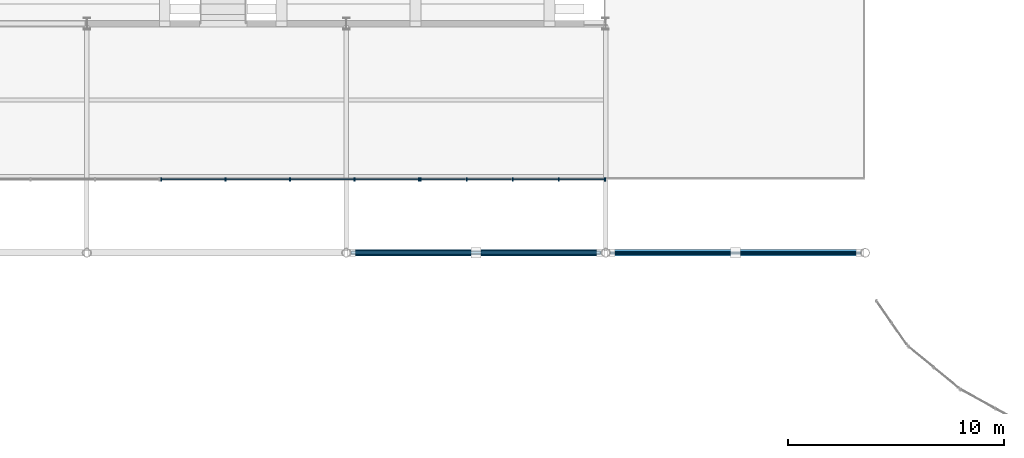
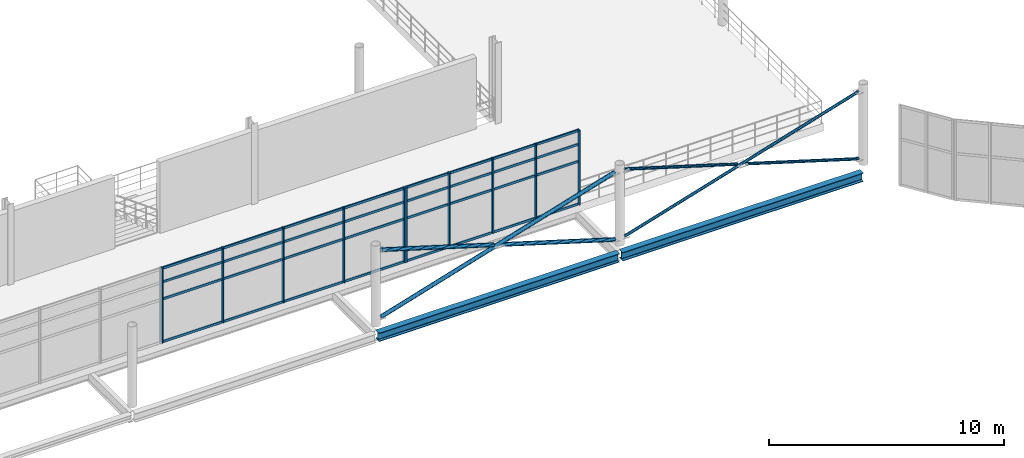
# One storey, part 31 of 89: 48 members, 2 beams, 2 elements without a shape of their own.
"""IFC4 building model written with IfcOpenShell, lengths in metres."""

from ifc_helpers import new_model, si_unit, direction, frame, origin, origin_2d, place, context, subcontext, project, spatial, rectangle, hollow_circle, i_section, extrude, material, material_profile, profile_set, type_object, element, aggregate, save


model = new_model("IFC4")

# Units and contexts
model_context = context("Model", 3, precision=1e-05, world=origin(), true_north=direction((0.0, 1.0)))
body_context = subcontext(model_context, "Body", "Model", "MODEL_VIEW")
ifc_project = project(units=[si_unit("LENGTHUNIT", "METRE"), si_unit("AREAUNIT", "SQUARE_METRE"), si_unit("VOLUMEUNIT", "CUBIC_METRE"), si_unit("PLANEANGLEUNIT", "RADIAN"), si_unit("MASSUNIT", "GRAM", prefix="KILO"), si_unit("THERMODYNAMICTEMPERATUREUNIT", "KELVIN"), si_unit("POWERUNIT", "WATT")], contexts=[model_context])

# Site, building, storey
site_placement = place(None, origin())
site = spatial("IfcSite", under=ifc_project, at=site_placement, CompositionType="ELEMENT")
building_placement = place(site_placement, origin())
building = spatial("IfcBuilding", under=site, at=building_placement, Name="Solmara Park Aquatics Centre", CompositionType="ELEMENT")
storey_placement = place(building_placement, frame((0.0, 0.0, 5.39990234375)))
storey = spatial("IfcBuildingStorey", under=building, at=storey_placement, Name="L01", CompositionType="ELEMENT", Elevation=5.39990234375)

# Curtain wall, members
ifc_material_1 = material(Name="Anodised Aluminium Curtain Wall Framing", Category="aluminium")
curtain_wall_type = type_object("IfcCurtainWallType", Name="ARC-CW-SYS05", PredefinedType="USERDEFINED", material=ifc_material_1)
curtain_wall_1_placement = place(storey_placement, origin())
curtain_wall_1 = element("IfcCurtainWall", 1, at=curtain_wall_1_placement, inside=storey, type_object=curtain_wall_type, Name="Curtain Wall CW-008", ObjectType="CURTAIN WALL", PredefinedType="USERDEFINED")
ifc_material_2 = material(Name="Anodised Aluminium Alloy 6063-T6", Category="aluminium")
ifc_material_profile_1 = material_profile(ifc_material_2, rectangle(XDim=0.06005859375, YDim=0.159912109375, at=origin_2d()), Name="ALU MULLION 60x160")
ifc_profile_set_1 = profile_set([ifc_material_profile_1], Name="Anodised Aluminium Alloy 6063-T6")
member_type_1 = type_object("IfcMemberType", Name="ARC-CWM-60x160", PredefinedType="MULLION", material=ifc_profile_set_1)
member_1_placement = place(storey_placement, frame((64.0400390625, 16.0, 0.0), z_axis=(0.0, 0.0, 1.0), x_axis=(1.0, 0.0, 0.0)))
member_1 = element("IfcMember", 2, at=member_1_placement, type_object=member_type_1, Name="CW-008 mullion 1", PredefinedType="MULLION", context=body_context, shape_type="SweptSolid", body=[
    extrude(rectangle(XDim=0.06005859375, YDim=0.159912109375, at=origin_2d()), origin(), (0.0, 0.0, 1.0), 3.900146484375),
])
member_2_placement = place(storey_placement, frame((67.02001953125, 16.0, 0.0), z_axis=(0.0, 0.0, 1.0), x_axis=(1.0, 0.0, 0.0)))
member_2 = element("IfcMember", 3, at=member_2_placement, type_object=member_type_1, Name="CW-008 mullion 2", PredefinedType="MULLION", context=body_context, shape_type="SweptSolid", body=[
    extrude(rectangle(XDim=0.06005859375, YDim=0.159912109375, at=origin_2d()), origin(), (0.0, 0.0, 1.0), 3.900146484375),
])
member_3_placement = place(storey_placement, frame((70.0, 16.0, 0.0), z_axis=(0.0, 0.0, 1.0), x_axis=(1.0, 0.0, 0.0)))
member_3 = element("IfcMember", 4, at=member_3_placement, type_object=member_type_1, Name="CW-008 mullion 3", PredefinedType="MULLION", context=body_context, shape_type="SweptSolid", body=[
    extrude(rectangle(XDim=0.06005859375, YDim=0.159912109375, at=origin_2d()), origin(), (0.0, 0.0, 1.0), 3.900146484375),
])
member_4_placement = place(storey_placement, frame((72.97998046875, 16.0, 0.0), z_axis=(0.0, 0.0, 1.0), x_axis=(1.0, 0.0, 0.0)))
member_4 = element("IfcMember", 5, at=member_4_placement, type_object=member_type_1, Name="CW-008 mullion 4", PredefinedType="MULLION", context=body_context, shape_type="SweptSolid", body=[
    extrude(rectangle(XDim=0.06005859375, YDim=0.159912109375, at=origin_2d()), origin(), (0.0, 0.0, 1.0), 3.900146484375),
])
member_5_placement = place(storey_placement, frame((75.9599609375, 16.0, 0.0), z_axis=(0.0, 0.0, 1.0), x_axis=(1.0, 0.0, 0.0)))
member_5 = element("IfcMember", 6, at=member_5_placement, type_object=member_type_1, Name="CW-008 mullion 5", PredefinedType="MULLION", context=body_context, shape_type="SweptSolid", body=[
    extrude(rectangle(XDim=0.06005859375, YDim=0.159912109375, at=origin_2d()), origin(), (0.0, 0.0, 1.0), 3.900146484375),
])

curtain_wall_2_placement = place(storey_placement, origin())
curtain_wall_2 = element("IfcCurtainWall", 7, at=curtain_wall_2_placement, inside=storey, type_object=curtain_wall_type, Name="Curtain Wall CW-010", ObjectType="CURTAIN WALL", PredefinedType="USERDEFINED")
member_6_placement = place(storey_placement, frame((76.0400390625, 16.0, 0.0), z_axis=(0.0, 0.0, 1.0), x_axis=(1.0, 0.0, 0.0)))
member_6 = element("IfcMember", 8, at=member_6_placement, type_object=member_type_1, Name="CW-010 mullion 1", PredefinedType="MULLION", context=body_context, shape_type="SweptSolid", body=[
    extrude(rectangle(XDim=0.06005859375, YDim=0.159912109375, at=origin_2d()), origin(), (0.0, 0.0, 1.0), 3.900146484375),
])
member_7_placement = place(storey_placement, frame((78.169921875, 16.0, 0.0), z_axis=(0.0, 0.0, 1.0), x_axis=(1.0, 0.0, 0.0)))
member_7 = element("IfcMember", 9, at=member_7_placement, type_object=member_type_1, Name="CW-010 mullion 2", PredefinedType="MULLION", context=body_context, shape_type="SweptSolid", body=[
    extrude(rectangle(XDim=0.06005859375, YDim=0.159912109375, at=origin_2d()), origin(), (0.0, 0.0, 1.0), 3.900146484375),
])
member_8_placement = place(storey_placement, frame((80.300048828125, 16.0, 0.0), z_axis=(0.0, 0.0, 1.0), x_axis=(1.0, 0.0, 0.0)))
member_8 = element("IfcMember", 10, at=member_8_placement, type_object=member_type_1, Name="CW-010 mullion 3", PredefinedType="MULLION", context=body_context, shape_type="SweptSolid", body=[
    extrude(rectangle(XDim=0.06005859375, YDim=0.159912109375, at=origin_2d()), origin(), (0.0, 0.0, 1.0), 3.900146484375),
])
member_9_placement = place(storey_placement, frame((82.429931640625, 16.0, 0.0), z_axis=(0.0, 0.0, 1.0), x_axis=(1.0, 0.0, 0.0)))
member_9 = element("IfcMember", 11, at=member_9_placement, type_object=member_type_1, Name="CW-010 mullion 4", PredefinedType="MULLION", context=body_context, shape_type="SweptSolid", body=[
    extrude(rectangle(XDim=0.06005859375, YDim=0.159912109375, at=origin_2d()), origin(), (0.0, 0.0, 1.0), 3.900146484375),
])
member_10_placement = place(storey_placement, frame((84.56005859375, 16.0, 0.0), z_axis=(0.0, 0.0, 1.0), x_axis=(1.0, 0.0, 0.0)))
member_10 = element("IfcMember", 12, at=member_10_placement, type_object=member_type_1, Name="CW-010 mullion 5", PredefinedType="MULLION", context=body_context, shape_type="SweptSolid", body=[
    extrude(rectangle(XDim=0.06005859375, YDim=0.159912109375, at=origin_2d()), origin(), (0.0, 0.0, 1.0), 3.900146484375),
])

# Member
ifc_material_profile_2 = material_profile(ifc_material_2, rectangle(XDim=0.06005859375, YDim=0.1201171875, at=origin_2d()), Name="ALU TRANSOM 60x120")
ifc_profile_set_2 = profile_set([ifc_material_profile_2], Name="Anodised Aluminium Alloy 6063-T6")
member_type_2 = type_object("IfcMemberType", Name="ARC-CWT-60x120", PredefinedType="USERDEFINED", material=ifc_profile_set_2)
member_11_placement = place(storey_placement, frame((64.06005859375, 16.0, 0.0400390625), z_axis=(1.0, 0.0, 0.0), x_axis=(0.0, 1.0, 0.0)))
member_11 = element("IfcMember", 13, at=member_11_placement, type_object=member_type_2, Name="CW-008 transom 1", ObjectType="TRANSOM", PredefinedType="USERDEFINED", context=body_context, shape_type="SweptSolid", body=[
    extrude(rectangle(XDim=0.06005859375, YDim=0.1201171875, at=origin_2d()), origin(), (0.0, 0.0, 1.0), 2.89990234375),
])

member_12_placement = place(storey_placement, frame((64.06005859375, 16.0, 2.26220703125), z_axis=(1.0, 0.0, 0.0), x_axis=(0.0, 1.0, 0.0)))
member_12 = element("IfcMember", 14, at=member_12_placement, type_object=member_type_2, Name="CW-008 transom 2", ObjectType="TRANSOM", PredefinedType="USERDEFINED", context=body_context, shape_type="SweptSolid", body=[
    extrude(rectangle(XDim=0.06005859375, YDim=0.1201171875, at=origin_2d()), origin(), (0.0, 0.0, 1.0), 2.89990234375),
])

member_13_placement = place(storey_placement, frame((64.06005859375, 16.0, 3.150146484375), z_axis=(1.0, 0.0, 0.0), x_axis=(0.0, 1.0, 0.0)))
member_13 = element("IfcMember", 15, at=member_13_placement, type_object=member_type_2, Name="CW-008 transom 3", ObjectType="TRANSOM", PredefinedType="USERDEFINED", context=body_context, shape_type="SweptSolid", body=[
    extrude(rectangle(XDim=0.06005859375, YDim=0.1201171875, at=origin_2d()), origin(), (0.0, 0.0, 1.0), 2.89990234375),
])

member_14_placement = place(storey_placement, frame((64.06005859375, 16.0, 3.860107421875), z_axis=(1.0, 0.0, 0.0), x_axis=(0.0, 1.0, 0.0)))
member_14 = element("IfcMember", 16, at=member_14_placement, type_object=member_type_2, Name="CW-008 transom 4", ObjectType="TRANSOM", PredefinedType="USERDEFINED", context=body_context, shape_type="SweptSolid", body=[
    extrude(rectangle(XDim=0.06005859375, YDim=0.1201171875, at=origin_2d()), origin(), (0.0, 0.0, 1.0), 2.89990234375),
])

member_15_placement = place(storey_placement, frame((67.0400390625, 16.0, 0.0400390625), z_axis=(1.0, 0.0, 0.0), x_axis=(0.0, 1.0, 0.0)))
member_15 = element("IfcMember", 17, at=member_15_placement, type_object=member_type_2, Name="CW-008 transom 5", ObjectType="TRANSOM", PredefinedType="USERDEFINED", context=body_context, shape_type="SweptSolid", body=[
    extrude(rectangle(XDim=0.06005859375, YDim=0.1201171875, at=origin_2d()), origin(), (0.0, 0.0, 1.0), 2.89990234375),
])

member_16_placement = place(storey_placement, frame((67.0400390625, 16.0, 2.26220703125), z_axis=(1.0, 0.0, 0.0), x_axis=(0.0, 1.0, 0.0)))
member_16 = element("IfcMember", 18, at=member_16_placement, type_object=member_type_2, Name="CW-008 transom 6", ObjectType="TRANSOM", PredefinedType="USERDEFINED", context=body_context, shape_type="SweptSolid", body=[
    extrude(rectangle(XDim=0.06005859375, YDim=0.1201171875, at=origin_2d()), origin(), (0.0, 0.0, 1.0), 2.89990234375),
])

member_17_placement = place(storey_placement, frame((67.0400390625, 16.0, 3.150146484375), z_axis=(1.0, 0.0, 0.0), x_axis=(0.0, 1.0, 0.0)))
member_17 = element("IfcMember", 19, at=member_17_placement, type_object=member_type_2, Name="CW-008 transom 7", ObjectType="TRANSOM", PredefinedType="USERDEFINED", context=body_context, shape_type="SweptSolid", body=[
    extrude(rectangle(XDim=0.06005859375, YDim=0.1201171875, at=origin_2d()), origin(), (0.0, 0.0, 1.0), 2.89990234375),
])

member_18_placement = place(storey_placement, frame((67.0400390625, 16.0, 3.860107421875), z_axis=(1.0, 0.0, 0.0), x_axis=(0.0, 1.0, 0.0)))
member_18 = element("IfcMember", 20, at=member_18_placement, type_object=member_type_2, Name="CW-008 transom 8", ObjectType="TRANSOM", PredefinedType="USERDEFINED", context=body_context, shape_type="SweptSolid", body=[
    extrude(rectangle(XDim=0.06005859375, YDim=0.1201171875, at=origin_2d()), origin(), (0.0, 0.0, 1.0), 2.89990234375),
])

member_19_placement = place(storey_placement, frame((70.02001953125, 16.0, 0.0400390625), z_axis=(1.0, 0.0, 0.0), x_axis=(0.0, 1.0, 0.0)))
member_19 = element("IfcMember", 21, at=member_19_placement, type_object=member_type_2, Name="CW-008 transom 9", ObjectType="TRANSOM", PredefinedType="USERDEFINED", context=body_context, shape_type="SweptSolid", body=[
    extrude(rectangle(XDim=0.06005859375, YDim=0.1201171875, at=origin_2d()), origin(), (0.0, 0.0, 1.0), 2.89990234375),
])

member_20_placement = place(storey_placement, frame((70.02001953125, 16.0, 2.26220703125), z_axis=(1.0, 0.0, 0.0), x_axis=(0.0, 1.0, 0.0)))
member_20 = element("IfcMember", 22, at=member_20_placement, type_object=member_type_2, Name="CW-008 transom 10", ObjectType="TRANSOM", PredefinedType="USERDEFINED", context=body_context, shape_type="SweptSolid", body=[
    extrude(rectangle(XDim=0.06005859375, YDim=0.1201171875, at=origin_2d()), origin(), (0.0, 0.0, 1.0), 2.89990234375),
])

member_21_placement = place(storey_placement, frame((70.02001953125, 16.0, 3.150146484375), z_axis=(1.0, 0.0, 0.0), x_axis=(0.0, 1.0, 0.0)))
member_21 = element("IfcMember", 23, at=member_21_placement, type_object=member_type_2, Name="CW-008 transom 11", ObjectType="TRANSOM", PredefinedType="USERDEFINED", context=body_context, shape_type="SweptSolid", body=[
    extrude(rectangle(XDim=0.06005859375, YDim=0.1201171875, at=origin_2d()), origin(), (0.0, 0.0, 1.0), 2.89990234375),
])

member_22_placement = place(storey_placement, frame((70.02001953125, 16.0, 3.860107421875), z_axis=(1.0, 0.0, 0.0), x_axis=(0.0, 1.0, 0.0)))
member_22 = element("IfcMember", 24, at=member_22_placement, type_object=member_type_2, Name="CW-008 transom 12", ObjectType="TRANSOM", PredefinedType="USERDEFINED", context=body_context, shape_type="SweptSolid", body=[
    extrude(rectangle(XDim=0.06005859375, YDim=0.1201171875, at=origin_2d()), origin(), (0.0, 0.0, 1.0), 2.89990234375),
])

member_23_placement = place(storey_placement, frame((73.0, 16.0, 0.0400390625), z_axis=(1.0, 0.0, 0.0), x_axis=(0.0, 1.0, 0.0)))
member_23 = element("IfcMember", 25, at=member_23_placement, type_object=member_type_2, Name="CW-008 transom 13", ObjectType="TRANSOM", PredefinedType="USERDEFINED", context=body_context, shape_type="SweptSolid", body=[
    extrude(rectangle(XDim=0.06005859375, YDim=0.1201171875, at=origin_2d()), origin(), (0.0, 0.0, 1.0), 2.89990234375),
])

member_24_placement = place(storey_placement, frame((73.0, 16.0, 2.26220703125), z_axis=(1.0, 0.0, 0.0), x_axis=(0.0, 1.0, 0.0)))
member_24 = element("IfcMember", 26, at=member_24_placement, type_object=member_type_2, Name="CW-008 transom 14", ObjectType="TRANSOM", PredefinedType="USERDEFINED", context=body_context, shape_type="SweptSolid", body=[
    extrude(rectangle(XDim=0.06005859375, YDim=0.1201171875, at=origin_2d()), origin(), (0.0, 0.0, 1.0), 2.89990234375),
])

member_25_placement = place(storey_placement, frame((73.0, 16.0, 3.150146484375), z_axis=(1.0, 0.0, 0.0), x_axis=(0.0, 1.0, 0.0)))
member_25 = element("IfcMember", 27, at=member_25_placement, type_object=member_type_2, Name="CW-008 transom 15", ObjectType="TRANSOM", PredefinedType="USERDEFINED", context=body_context, shape_type="SweptSolid", body=[
    extrude(rectangle(XDim=0.06005859375, YDim=0.1201171875, at=origin_2d()), origin(), (0.0, 0.0, 1.0), 2.89990234375),
])

member_26_placement = place(storey_placement, frame((73.0, 16.0, 3.860107421875), z_axis=(1.0, 0.0, 0.0), x_axis=(0.0, 1.0, 0.0)))
member_26 = element("IfcMember", 28, at=member_26_placement, type_object=member_type_2, Name="CW-008 transom 16", ObjectType="TRANSOM", PredefinedType="USERDEFINED", context=body_context, shape_type="SweptSolid", body=[
    extrude(rectangle(XDim=0.06005859375, YDim=0.1201171875, at=origin_2d()), origin(), (0.0, 0.0, 1.0), 2.89990234375),
])

aggregate(curtain_wall_1, [member_1, member_2, member_3, member_4, member_5, member_11, member_12, member_13, member_14, member_15, member_16, member_17, member_18, member_19, member_20, member_21, member_22, member_23, member_24, member_25, member_26])

member_27_placement = place(storey_placement, frame((76.06005859375, 16.0, 0.0400390625), z_axis=(1.0, 0.0, 0.0), x_axis=(0.0, 1.0, 0.0)))
member_27 = element("IfcMember", 29, at=member_27_placement, type_object=member_type_2, Name="CW-010 transom 1", ObjectType="TRANSOM", PredefinedType="USERDEFINED", context=body_context, shape_type="SweptSolid", body=[
    extrude(rectangle(XDim=0.06005859375, YDim=0.1201171875, at=origin_2d()), origin(), (0.0, 0.0, 1.0), 2.050048828125),
])

member_28_placement = place(storey_placement, frame((76.06005859375, 16.0, 2.26220703125), z_axis=(1.0, 0.0, 0.0), x_axis=(0.0, 1.0, 0.0)))
member_28 = element("IfcMember", 30, at=member_28_placement, type_object=member_type_2, Name="CW-010 transom 2", ObjectType="TRANSOM", PredefinedType="USERDEFINED", context=body_context, shape_type="SweptSolid", body=[
    extrude(rectangle(XDim=0.06005859375, YDim=0.1201171875, at=origin_2d()), origin(), (0.0, 0.0, 1.0), 2.050048828125),
])

member_29_placement = place(storey_placement, frame((76.06005859375, 16.0, 3.150146484375), z_axis=(1.0, 0.0, 0.0), x_axis=(0.0, 1.0, 0.0)))
member_29 = element("IfcMember", 31, at=member_29_placement, type_object=member_type_2, Name="CW-010 transom 3", ObjectType="TRANSOM", PredefinedType="USERDEFINED", context=body_context, shape_type="SweptSolid", body=[
    extrude(rectangle(XDim=0.06005859375, YDim=0.1201171875, at=origin_2d()), origin(), (0.0, 0.0, 1.0), 2.050048828125),
])

member_30_placement = place(storey_placement, frame((76.06005859375, 16.0, 3.860107421875), z_axis=(1.0, 0.0, 0.0), x_axis=(0.0, 1.0, 0.0)))
member_30 = element("IfcMember", 32, at=member_30_placement, type_object=member_type_2, Name="CW-010 transom 4", ObjectType="TRANSOM", PredefinedType="USERDEFINED", context=body_context, shape_type="SweptSolid", body=[
    extrude(rectangle(XDim=0.06005859375, YDim=0.1201171875, at=origin_2d()), origin(), (0.0, 0.0, 1.0), 2.050048828125),
])

member_31_placement = place(storey_placement, frame((78.18994140625, 16.0, 0.0400390625), z_axis=(1.0, 0.0, 0.0), x_axis=(0.0, 1.0, 0.0)))
member_31 = element("IfcMember", 33, at=member_31_placement, type_object=member_type_2, Name="CW-010 transom 5", ObjectType="TRANSOM", PredefinedType="USERDEFINED", context=body_context, shape_type="SweptSolid", body=[
    extrude(rectangle(XDim=0.06005859375, YDim=0.1201171875, at=origin_2d()), origin(), (0.0, 0.0, 1.0), 2.050048828125),
])

member_32_placement = place(storey_placement, frame((78.18994140625, 16.0, 2.26220703125), z_axis=(1.0, 0.0, 0.0), x_axis=(0.0, 1.0, 0.0)))
member_32 = element("IfcMember", 34, at=member_32_placement, type_object=member_type_2, Name="CW-010 transom 6", ObjectType="TRANSOM", PredefinedType="USERDEFINED", context=body_context, shape_type="SweptSolid", body=[
    extrude(rectangle(XDim=0.06005859375, YDim=0.1201171875, at=origin_2d()), origin(), (0.0, 0.0, 1.0), 2.050048828125),
])

member_33_placement = place(storey_placement, frame((78.18994140625, 16.0, 3.150146484375), z_axis=(1.0, 0.0, 0.0), x_axis=(0.0, 1.0, 0.0)))
member_33 = element("IfcMember", 35, at=member_33_placement, type_object=member_type_2, Name="CW-010 transom 7", ObjectType="TRANSOM", PredefinedType="USERDEFINED", context=body_context, shape_type="SweptSolid", body=[
    extrude(rectangle(XDim=0.06005859375, YDim=0.1201171875, at=origin_2d()), origin(), (0.0, 0.0, 1.0), 2.050048828125),
])

member_34_placement = place(storey_placement, frame((78.18994140625, 16.0, 3.860107421875), z_axis=(1.0, 0.0, 0.0), x_axis=(0.0, 1.0, 0.0)))
member_34 = element("IfcMember", 36, at=member_34_placement, type_object=member_type_2, Name="CW-010 transom 8", ObjectType="TRANSOM", PredefinedType="USERDEFINED", context=body_context, shape_type="SweptSolid", body=[
    extrude(rectangle(XDim=0.06005859375, YDim=0.1201171875, at=origin_2d()), origin(), (0.0, 0.0, 1.0), 2.050048828125),
])

member_35_placement = place(storey_placement, frame((80.320068359375, 16.0, 0.0400390625), z_axis=(1.0, 0.0, 0.0), x_axis=(0.0, 1.0, 0.0)))
member_35 = element("IfcMember", 37, at=member_35_placement, type_object=member_type_2, Name="CW-010 transom 9", ObjectType="TRANSOM", PredefinedType="USERDEFINED", context=body_context, shape_type="SweptSolid", body=[
    extrude(rectangle(XDim=0.06005859375, YDim=0.1201171875, at=origin_2d()), origin(), (0.0, 0.0, 1.0), 2.050048828125),
])

member_36_placement = place(storey_placement, frame((80.320068359375, 16.0, 2.26220703125), z_axis=(1.0, 0.0, 0.0), x_axis=(0.0, 1.0, 0.0)))
member_36 = element("IfcMember", 38, at=member_36_placement, type_object=member_type_2, Name="CW-010 transom 10", ObjectType="TRANSOM", PredefinedType="USERDEFINED", context=body_context, shape_type="SweptSolid", body=[
    extrude(rectangle(XDim=0.06005859375, YDim=0.1201171875, at=origin_2d()), origin(), (0.0, 0.0, 1.0), 2.050048828125),
])

member_37_placement = place(storey_placement, frame((80.320068359375, 16.0, 3.150146484375), z_axis=(1.0, 0.0, 0.0), x_axis=(0.0, 1.0, 0.0)))
member_37 = element("IfcMember", 39, at=member_37_placement, type_object=member_type_2, Name="CW-010 transom 11", ObjectType="TRANSOM", PredefinedType="USERDEFINED", context=body_context, shape_type="SweptSolid", body=[
    extrude(rectangle(XDim=0.06005859375, YDim=0.1201171875, at=origin_2d()), origin(), (0.0, 0.0, 1.0), 2.050048828125),
])

member_38_placement = place(storey_placement, frame((80.320068359375, 16.0, 3.860107421875), z_axis=(1.0, 0.0, 0.0), x_axis=(0.0, 1.0, 0.0)))
member_38 = element("IfcMember", 40, at=member_38_placement, type_object=member_type_2, Name="CW-010 transom 12", ObjectType="TRANSOM", PredefinedType="USERDEFINED", context=body_context, shape_type="SweptSolid", body=[
    extrude(rectangle(XDim=0.06005859375, YDim=0.1201171875, at=origin_2d()), origin(), (0.0, 0.0, 1.0), 2.050048828125),
])

member_39_placement = place(storey_placement, frame((82.449951171875, 16.0, 0.0400390625), z_axis=(1.0, 0.0, 0.0), x_axis=(0.0, 1.0, 0.0)))
member_39 = element("IfcMember", 41, at=member_39_placement, type_object=member_type_2, Name="CW-010 transom 13", ObjectType="TRANSOM", PredefinedType="USERDEFINED", context=body_context, shape_type="SweptSolid", body=[
    extrude(rectangle(XDim=0.06005859375, YDim=0.1201171875, at=origin_2d()), origin(), (0.0, 0.0, 1.0), 2.050048828125),
])

member_40_placement = place(storey_placement, frame((82.449951171875, 16.0, 2.26220703125), z_axis=(1.0, 0.0, 0.0), x_axis=(0.0, 1.0, 0.0)))
member_40 = element("IfcMember", 42, at=member_40_placement, type_object=member_type_2, Name="CW-010 transom 14", ObjectType="TRANSOM", PredefinedType="USERDEFINED", context=body_context, shape_type="SweptSolid", body=[
    extrude(rectangle(XDim=0.06005859375, YDim=0.1201171875, at=origin_2d()), origin(), (0.0, 0.0, 1.0), 2.050048828125),
])

member_41_placement = place(storey_placement, frame((82.449951171875, 16.0, 3.150146484375), z_axis=(1.0, 0.0, 0.0), x_axis=(0.0, 1.0, 0.0)))
member_41 = element("IfcMember", 43, at=member_41_placement, type_object=member_type_2, Name="CW-010 transom 15", ObjectType="TRANSOM", PredefinedType="USERDEFINED", context=body_context, shape_type="SweptSolid", body=[
    extrude(rectangle(XDim=0.06005859375, YDim=0.1201171875, at=origin_2d()), origin(), (0.0, 0.0, 1.0), 2.050048828125),
])

member_42_placement = place(storey_placement, frame((82.449951171875, 16.0, 3.860107421875), z_axis=(1.0, 0.0, 0.0), x_axis=(0.0, 1.0, 0.0)))
member_42 = element("IfcMember", 44, at=member_42_placement, type_object=member_type_2, Name="CW-010 transom 16", ObjectType="TRANSOM", PredefinedType="USERDEFINED", context=body_context, shape_type="SweptSolid", body=[
    extrude(rectangle(XDim=0.06005859375, YDim=0.1201171875, at=origin_2d()), origin(), (0.0, 0.0, 1.0), 2.050048828125),
])

aggregate(curtain_wall_2, [member_6, member_7, member_8, member_9, member_10, member_27, member_28, member_29, member_30, member_31, member_32, member_33, member_34, member_35, member_36, member_37, member_38, member_39, member_40, member_41, member_42])

# Beams
ifc_material_3 = material(Name="Structural Steel S355", Category="steel")
ifc_material_profile_3 = material_profile(ifc_material_3, i_section(OverallWidth=0.300048828125, OverallDepth=0.449951171875, WebThickness=0.013916015625, FlangeThickness=0.02587890625, FilletRadius=0.027099609375, at=origin_2d()), Name="HEB 450")
ifc_profile_set_3 = profile_set([ifc_material_profile_3], Name="Structural Steel S355")
beam_type = type_object("IfcBeamType", Name="STR-BM-HEB450", PredefinedType="BEAM", material=ifc_profile_set_3)
for number, where, z_axis, x_axis, name in (
    (45, (72.679931640625, 12.60009765625, -0.625), (1.0, 0.0, 0.0), (0.0, 1.0, 0.0), "Girder BM-L01-0170"),
    (46, (84.679931640625, 12.60009765625, -0.625), (1.0, 0.0, 0.0), (0.0, 1.0, 0.0), "Girder BM-L01-0171"),
):
    element("IfcBeam", number, at=place(storey_placement, frame(where, z_axis=z_axis, x_axis=x_axis)), inside=storey, type_object=beam_type, Name=name, PredefinedType="BEAM", context=body_context, shape_type="SweptSolid", body=[
        extrude(i_section(OverallWidth=0.300048828125, OverallDepth=0.449951171875, WebThickness=0.013916015625, FlangeThickness=0.02587890625, FilletRadius=0.027099609375, at=origin_2d()), origin(), (0.0, 0.0, 1.0), 11.840087890625),
    ])

# Members
ifc_material_profile_4 = material_profile(ifc_material_3, hollow_circle(Radius=0.06982421875, WallThickness=0.008056640625, at=origin_2d()), Name="CHS 139.7x8")
ifc_profile_set_4 = profile_set([ifc_material_profile_4], Name="Structural Steel S355")
member_type_3 = type_object("IfcMemberType", Name="STR-BRC-CHS139", PredefinedType="BRACE", material=ifc_profile_set_4)
member_43_placement = place(storey_placement, frame((84.840087890625, 12.60009765625, 0.300048828125), z_axis=(0.956814728604, 0.0, 0.290698426425), x_axis=(0.0, 1.0, 0.0)))
element("IfcMember", 47, at=member_43_placement, inside=storey, type_object=member_type_3, Name="Continuous X-Brace Diagonal BRC-28", PredefinedType="BRACE", context=body_context, shape_type="SweptSolid", body=[
    extrude(hollow_circle(Radius=0.06982421875, WallThickness=0.008056640625, at=origin_2d()), origin(), (0.0, 0.0, 1.0), 12.0400390625),
])
member_44_placement = place(storey_placement, frame((96.360107421875, 12.60009765625, 0.300048828125), z_axis=(-0.956815994023, 0.0, 0.290694261349), x_axis=(0.0, -1.0, 0.0)))
element("IfcMember", 48, at=member_44_placement, inside=storey, type_object=member_type_3, Name="Split X-Brace Lower Segment BRC-29", PredefinedType="BRACE", context=body_context, shape_type="SweptSolid", body=[
    extrude(hollow_circle(Radius=0.06982421875, WallThickness=0.008056640625, at=origin_2d()), origin(), (0.0, 0.0, 1.0), 5.800048828125),
])
member_45_placement = place(storey_placement, frame((90.389404296875, 12.60009765625, 2.114013671875), z_axis=(-0.956812436817, 0.0, 0.290705969585), x_axis=(0.0, -1.0, 0.0)))
element("IfcMember", 49, at=member_45_placement, inside=storey, type_object=member_type_3, Name="Split X-Brace Upper Segment BRC-30", PredefinedType="BRACE", context=body_context, shape_type="SweptSolid", body=[
    extrude(hollow_circle(Radius=0.06982421875, WallThickness=0.008056640625, at=origin_2d()), origin(), (0.0, 0.0, 1.0), 5.7998046875),
])
ifc_material_profile_5 = material_profile(ifc_material_3, hollow_circle(Radius=0.096923828125, WallThickness=0.010009765625, at=origin_2d()), Name="CHS 193.7x10")
ifc_profile_set_5 = profile_set([ifc_material_profile_5], Name="Structural Steel S355")
member_type_4 = type_object("IfcMemberType", Name="STR-BRC-CHS193", PredefinedType="BRACE", material=ifc_profile_set_5)
member_46_placement = place(storey_placement, frame((72.840087890625, 12.60009765625, 0.300048828125), z_axis=(0.956814728604, 0.0, 0.290698426425), x_axis=(0.0, 1.0, 0.0)))
element("IfcMember", 50, at=member_46_placement, inside=storey, type_object=member_type_4, Name="Continuous X-Brace Diagonal BRC-25", PredefinedType="BRACE", context=body_context, shape_type="SweptSolid", body=[
    extrude(hollow_circle(Radius=0.096923828125, WallThickness=0.010009765625, at=origin_2d()), origin(), (0.0, 0.0, 1.0), 12.0400390625),
])
member_47_placement = place(storey_placement, frame((84.360107421875, 12.60009765625, 0.300048828125), z_axis=(-0.956815994023, 0.0, 0.290694261349), x_axis=(0.0, -1.0, 0.0)))
element("IfcMember", 51, at=member_47_placement, inside=storey, type_object=member_type_4, Name="Split X-Brace Lower Segment BRC-26", PredefinedType="BRACE", context=body_context, shape_type="SweptSolid", body=[
    extrude(hollow_circle(Radius=0.096923828125, WallThickness=0.010009765625, at=origin_2d()), origin(), (0.0, 0.0, 1.0), 5.800048828125),
])
member_48_placement = place(storey_placement, frame((78.389404296875, 12.60009765625, 2.114013671875), z_axis=(-0.956812436817, 0.0, 0.290705969585), x_axis=(0.0, -1.0, 0.0)))
element("IfcMember", 52, at=member_48_placement, inside=storey, type_object=member_type_4, Name="Split X-Brace Upper Segment BRC-27", PredefinedType="BRACE", context=body_context, shape_type="SweptSolid", body=[
    extrude(hollow_circle(Radius=0.096923828125, WallThickness=0.010009765625, at=origin_2d()), origin(), (0.0, 0.0, 1.0), 5.7998046875),
])

save(model, "model.ifc")
